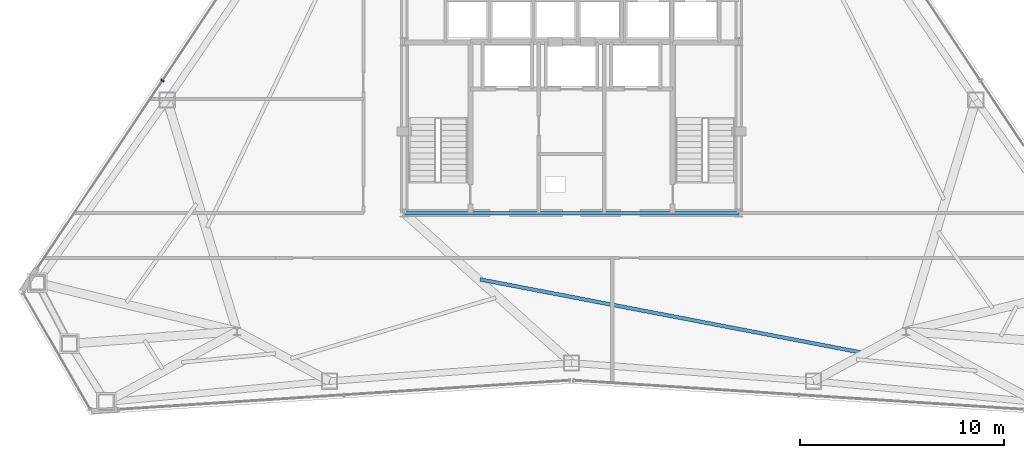
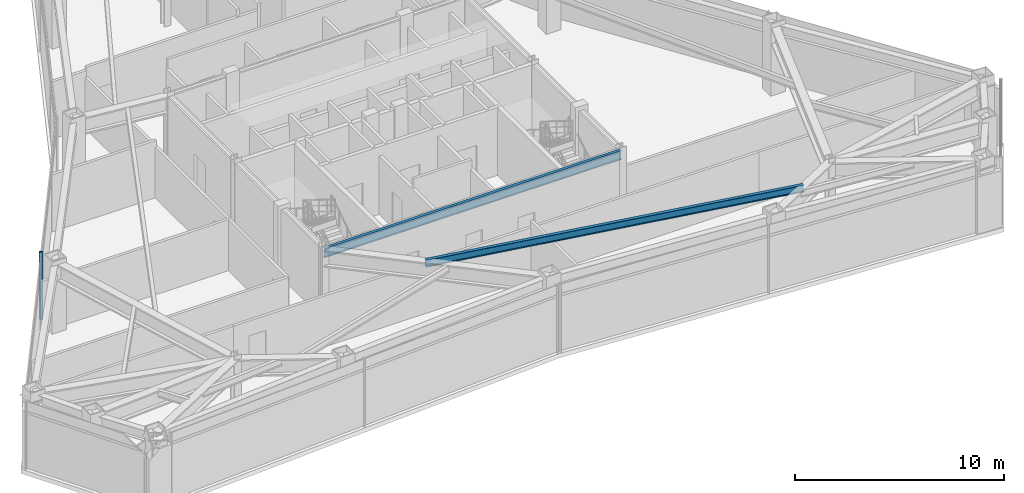
# One storey, part 4 of 13: 2 beams, 1 member, 1 element without a shape of its own.
"""IFC4 building model written with IfcOpenShell, lengths in metres."""

from ifc_helpers import new_model, si_unit, direction, frame, origin, origin_2d, place, context, subcontext, project, spatial, rectangle, i_section, extrude, source, transform, mapped, material, layer, layer_set, material_profile, profile_set, type_object, type_shapes, element, aggregate, save


model = new_model("IFC4")

# Units and contexts
model_context = context("Model", 3, precision=1e-05, world=origin(), true_north=direction((0.0, 1.0)))
body_context = subcontext(model_context, "Body", "Model", "MODEL_VIEW")
ifc_project = project(units=[si_unit("LENGTHUNIT", "METRE"), si_unit("AREAUNIT", "SQUARE_METRE"), si_unit("VOLUMEUNIT", "CUBIC_METRE"), si_unit("PLANEANGLEUNIT", "RADIAN"), si_unit("MASSUNIT", "GRAM", prefix="KILO")], contexts=[model_context])

# Site, building, storey
site_placement = place(None, origin())
site = spatial("IfcSite", under=ifc_project, at=site_placement, CompositionType="ELEMENT")
building_placement = place(site_placement, origin())
building = spatial("IfcBuilding", under=site, at=building_placement, Name="Varakhsha Concourse Tower", CompositionType="ELEMENT")
storey_placement = place(building_placement, frame((0.0, 0.0, 200.699951171875)))
storey = spatial("IfcBuildingStorey", under=building, at=storey_placement, Name="L57", CompositionType="ELEMENT", Elevation=200.699951171875)

# Beams
ifc_material_1 = material(Name="Structural Steel ASTM A992 Grade 50", Category="steel")
ifc_material_profile_1 = material_profile(ifc_material_1, i_section(OverallWidth=0.177978515625, OverallDepth=0.406982421875, WebThickness=0.008056640625, FlangeThickness=0.012939453125, at=origin_2d()), Name="W16X40")
ifc_profile_set_1 = profile_set([ifc_material_profile_1], Name="Structural Steel ASTM A992 Grade 50")
beam_type_1 = type_object("IfcBeamType", Name="BM-JST-W16X40", PredefinedType="JOIST", material=ifc_profile_set_1)
beam_1_placement = place(storey_placement, frame((35.51611328125, 13.146484375, 3.74658203125), z_axis=(0.982120454961, -0.188253584153, 0.0), x_axis=(0.188253584153, 0.982120454961, 0.0)))
element("IfcBeam", 1, at=beam_1_placement, inside=storey, type_object=beam_type_1, Name="BM-TJST-L57-11", PredefinedType="JOIST", context=body_context, shape_type="SweptSolid", body=[
    extrude(i_section(OverallWidth=0.177978515625, OverallDepth=0.406982421875, WebThickness=0.008056640625, FlangeThickness=0.012939453125, at=origin_2d()), origin(), (0.0, 0.0, 1.0), 19.123779296875),
])
ifc_material_profile_2 = material_profile(ifc_material_1, i_section(OverallWidth=0.1669921875, OverallDepth=0.534912109375, WebThickness=0.010009765625, FlangeThickness=0.01708984375, at=origin_2d()), Name="W21X57")
ifc_profile_set_2 = profile_set([ifc_material_profile_2], Name="Structural Steel ASTM A992 Grade 50")
beam_type_2 = type_object("IfcBeamType", Name="BM-RAD-W21X57", PredefinedType="BEAM", material=ifc_profile_set_2)
beam_2_placement = place(storey_placement, frame((31.800048828125, 16.39990234375, 3.6826171875), z_axis=(1.0, 0.0, 0.0), x_axis=(0.0, 1.0, 0.0)))
element("IfcBeam", 2, at=beam_2_placement, inside=storey, type_object=beam_type_2, Name="BM-TCORE-L57-CS", PredefinedType="BEAM", context=body_context, shape_type="SweptSolid", body=[
    extrude(i_section(OverallWidth=0.1669921875, OverallDepth=0.534912109375, WebThickness=0.010009765625, FlangeThickness=0.01708984375, at=origin_2d()), origin(), (0.0, 0.0, 1.0), 16.39990234375),
])

# Curtain wall, member
ifc_material_2 = material(Name="Anodised Bronze Architectural Aluminium AA 6063-T6", Category="aluminium")
ifc_layer = layer(ifc_material_2, 0.199951171875, Name="CW-SYS-05")
ifc_layer_set = layer_set([ifc_layer], Name="Anodised Bronze Architectural Aluminium AA 6063-T6")
curtain_wall_type = type_object("IfcCurtainWallType", Name="CW-SYS-05", PredefinedType="NOTDEFINED", material=ifc_layer_set)
curtain_wall_placement = place(storey_placement, origin())
curtain_wall = element("IfcCurtainWall", 3, at=curtain_wall_placement, inside=storey, type_object=curtain_wall_type, Name="L57 Crystal Curtain Wall F3", PredefinedType="NOTDEFINED")
ifc_material_profile_3 = material_profile(ifc_material_2, rectangle(XDim=0.06494140625, YDim=0.179931640625, at=origin_2d()), Name="CWM-180X65")
ifc_profile_set_3 = profile_set([ifc_material_profile_3], Name="Anodised Bronze Architectural Aluminium AA 6063-T6")
member_type = type_object("IfcMemberType", Name="CWM-180X65", PredefinedType="MULLION", material=ifc_profile_set_3)
shared_shape = source(origin(), body_context, "Body", "SweptSolid", [
    extrude(rectangle(XDim=0.06494140625, YDim=0.179931640625, at=origin_2d()), origin(), (0.0, 0.0, 1.0), 3.949951171875),
])
type_shapes(member_type, [shared_shape])
member_placement = place(storey_placement, frame((19.946044921875, 22.899658203125, 0.0), z_axis=(0.0, 0.0, 1.0), x_axis=(0.554591747974, 0.832122582964, 0.0)))
member = element("IfcMember", 4, at=member_placement, type_object=member_type, Name="CW-L57-F3 Mullion 01", PredefinedType="MULLION", context=body_context, shape_type="MappedRepresentation", body=[
    mapped(shared_shape, transform((0.0, 0.0, 0.0), scale=1.0)),
])
aggregate(curtain_wall, [member])

save(model, "model.ifc")
